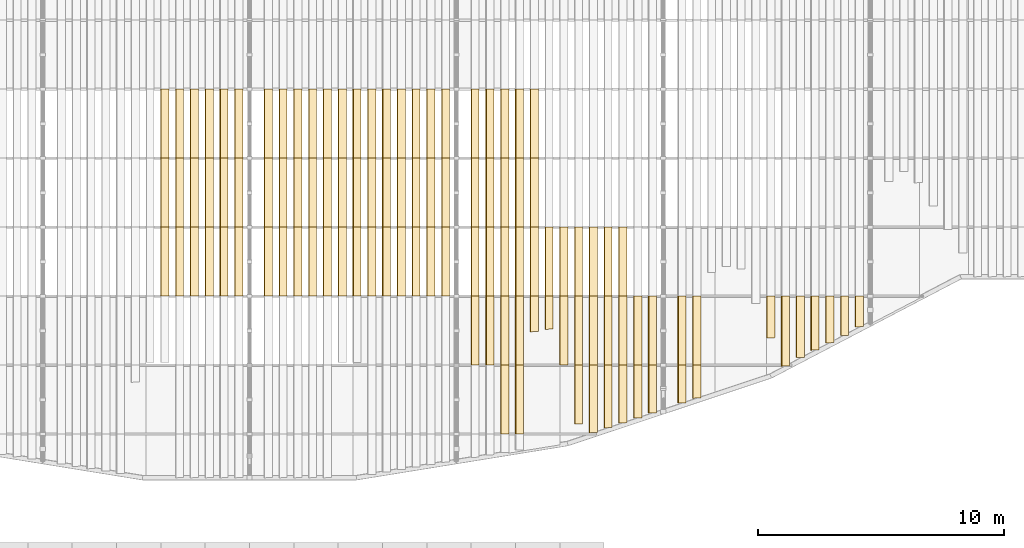
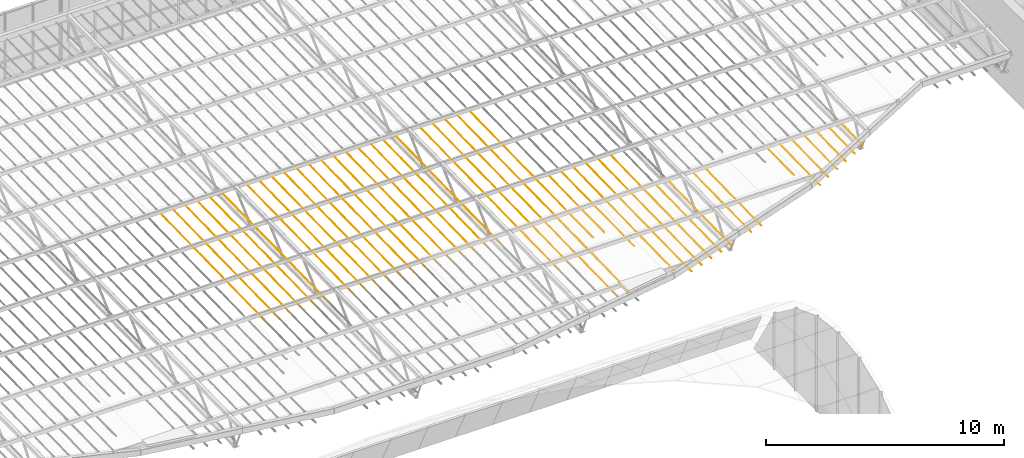
# One storey, part 121 of 129: 110 coverings.
"""IFC4 building model written with IfcOpenShell, lengths in metres."""

from ifc_helpers import new_model, si_unit, direction, frame, origin, place, context, subcontext, project, spatial, polyline, outline, extrude, material, material_profile, profile_set, type_object, element, save


model = new_model("IFC4")

# Units and contexts
model_context = context("Model", 3, precision=1e-05, world=origin(), true_north=direction((0.0, 1.0)))
body_context = subcontext(model_context, "Body", "Model", "MODEL_VIEW")
ifc_project = project(units=[si_unit("LENGTHUNIT", "METRE"), si_unit("AREAUNIT", "SQUARE_METRE"), si_unit("VOLUMEUNIT", "CUBIC_METRE"), si_unit("PLANEANGLEUNIT", "RADIAN"), si_unit("MASSUNIT", "GRAM", prefix="KILO")], contexts=[model_context])

# Site, building, storey
site_placement = place(None, origin())
site = spatial("IfcSite", under=ifc_project, at=site_placement, CompositionType="ELEMENT")
building_placement = place(site_placement, origin())
building = spatial("IfcBuilding", under=site, at=building_placement, Name="Ardhachandra Cancer Care Centre", CompositionType="ELEMENT")
storey_placement = place(building_placement, frame((0.0, 0.0, 4.5)))
storey = spatial("IfcBuildingStorey", under=building, at=storey_placement, Name="L01", CompositionType="ELEMENT", Elevation=4.5)

# Coverings
ifc_material = material(Name="Anodised aluminium", Category="aluminium")
ifc_material_profile = material_profile(ifc_material, outline(polyline([(-0.01220703125, 0.0), (0.01220703125, 0.0), (0.327392578125, -0.449951171875), (0.302978515625, -0.449951171875), (-0.01220703125, 0.0)])), Name="Louvre fin 450")
ifc_profile_set = profile_set([ifc_material_profile], Name="Anodised aluminium")
covering_type = type_object("IfcCoveringType", Name="Louvre fin 450", PredefinedType="CLADDING", material=ifc_profile_set)
for number, where, z_axis, x_axis, name in (
    (1, (74.39990234375, 40.175048828125, 2.46337890625), (0.0, -0.999800721691, -0.019962888244), (1.0, 0.0, 0.0), "Louvre fin 50-6"),
    (2, (74.39990234375, 37.375, 2.407470703125), (0.0, -0.999800721691, -0.019962888244), (1.0, 0.0, 0.0), "Louvre fin 50-7"),
    (3, (74.39990234375, 34.574951171875, 2.3515625), (0.0, -0.999798977995, -0.02005002746), (1.0, 0.0, 0.0), "Louvre fin 50-8"),
    (4, (75.0, 40.175048828125, 2.46337890625), (0.0, -0.999800721691, -0.019962888244), (1.0, 0.0, 0.0), "Louvre fin 51-6"),
    (5, (75.0, 37.375, 2.407470703125), (0.0, -0.999800721691, -0.019962888244), (1.0, 0.0, 0.0), "Louvre fin 51-7"),
    (6, (75.0, 34.574951171875, 2.3515625), (0.0, -0.999798977995, -0.02005002746), (1.0, 0.0, 0.0), "Louvre fin 51-8"),
    (7, (75.60009765625, 40.175048828125, 2.46337890625), (0.0, -0.999800721691, -0.019962888244), (1.0, 0.0, 0.0), "Louvre fin 52-6"),
    (8, (75.60009765625, 37.375, 2.407470703125), (0.0, -0.999800721691, -0.019962888244), (1.0, 0.0, 0.0), "Louvre fin 52-7"),
    (9, (75.60009765625, 34.574951171875, 2.3515625), (0.0, -0.999798977995, -0.02005002746), (1.0, 0.0, 0.0), "Louvre fin 52-8"),
    (10, (76.199951171875, 40.175048828125, 2.46337890625), (0.0, -0.999800721691, -0.019962888244), (1.0, 0.0, 0.0), "Louvre fin 53-6"),
    (11, (76.199951171875, 37.375, 2.407470703125), (0.0, -0.999800721691, -0.019962888244), (1.0, 0.0, 0.0), "Louvre fin 53-7"),
    (12, (76.199951171875, 34.574951171875, 2.3515625), (0.0, -0.999798977995, -0.02005002746), (1.0, 0.0, 0.0), "Louvre fin 53-8"),
    (13, (76.800048828125, 40.175048828125, 2.46337890625), (0.0, -0.999800721691, -0.019962888244), (1.0, 0.0, 0.0), "Louvre fin 54-6"),
    (14, (76.800048828125, 37.375, 2.407470703125), (0.0, -0.999800721691, -0.019962888244), (1.0, 0.0, 0.0), "Louvre fin 54-7"),
    (15, (76.800048828125, 34.574951171875, 2.3515625), (0.0, -0.999798977995, -0.02005002746), (1.0, 0.0, 0.0), "Louvre fin 54-8"),
    (16, (77.39990234375, 40.175048828125, 2.46337890625), (0.0, -0.999800721691, -0.019962888244), (1.0, 0.0, 0.0), "Louvre fin 55-6"),
    (17, (77.39990234375, 37.375, 2.407470703125), (0.0, -0.999800721691, -0.019962888244), (1.0, 0.0, 0.0), "Louvre fin 55-7"),
    (18, (77.39990234375, 34.574951171875, 2.3515625), (0.0, -0.999798977995, -0.02005002746), (1.0, 0.0, 0.0), "Louvre fin 55-8"),
    (19, (78.60009765625, 40.175048828125, 2.46337890625), (0.0, -0.999800721691, -0.019962888244), (1.0, 0.0, 0.0), "Louvre fin 57-6"),
    (20, (78.60009765625, 37.375, 2.407470703125), (0.0, -0.999800721691, -0.019962888244), (1.0, 0.0, 0.0), "Louvre fin 57-7"),
    (21, (78.60009765625, 34.574951171875, 2.3515625), (0.0, -0.999798977995, -0.02005002746), (1.0, 0.0, 0.0), "Louvre fin 57-8"),
    (22, (79.199951171875, 40.175048828125, 2.46337890625), (0.0, -0.999800721691, -0.019962888244), (1.0, 0.0, 0.0), "Louvre fin 58-6"),
    (23, (79.199951171875, 37.375, 2.407470703125), (0.0, -0.999800721691, -0.019962888244), (1.0, 0.0, 0.0), "Louvre fin 58-7"),
    (24, (79.199951171875, 34.574951171875, 2.3515625), (0.0, -0.999798977995, -0.02005002746), (1.0, 0.0, 0.0), "Louvre fin 58-8"),
    (25, (79.800048828125, 40.175048828125, 2.46337890625), (0.0, -0.999800721691, -0.019962888244), (1.0, 0.0, 0.0), "Louvre fin 59-6"),
    (26, (79.800048828125, 37.375, 2.407470703125), (0.0, -0.999800721691, -0.019962888244), (1.0, 0.0, 0.0), "Louvre fin 59-7"),
    (27, (79.800048828125, 34.574951171875, 2.3515625), (0.0, -0.999798977995, -0.02005002746), (1.0, 0.0, 0.0), "Louvre fin 59-8"),
    (28, (80.39990234375, 40.175048828125, 2.46337890625), (0.0, -0.999800721691, -0.019962888244), (1.0, 0.0, 0.0), "Louvre fin 60-6"),
    (29, (80.39990234375, 37.375, 2.407470703125), (0.0, -0.999800721691, -0.019962888244), (1.0, 0.0, 0.0), "Louvre fin 60-7"),
    (30, (80.39990234375, 34.574951171875, 2.3515625), (0.0, -0.999798977995, -0.02005002746), (1.0, 0.0, 0.0), "Louvre fin 60-8"),
    (31, (81.0, 40.175048828125, 2.46337890625), (0.0, -0.999800721691, -0.019962888244), (1.0, 0.0, 0.0), "Louvre fin 61-6"),
    (32, (81.0, 37.375, 2.407470703125), (0.0, -0.999800721691, -0.019962888244), (1.0, 0.0, 0.0), "Louvre fin 61-7"),
    (33, (81.0, 34.574951171875, 2.3515625), (0.0, -0.999798977995, -0.02005002746), (1.0, 0.0, 0.0), "Louvre fin 61-8"),
    (34, (81.60009765625, 40.175048828125, 2.46337890625), (0.0, -0.999800721691, -0.019962888244), (1.0, 0.0, 0.0), "Louvre fin 62-6"),
    (35, (81.60009765625, 37.375, 2.407470703125), (0.0, -0.999800721691, -0.019962888244), (1.0, 0.0, 0.0), "Louvre fin 62-7"),
    (36, (81.60009765625, 34.574951171875, 2.3515625), (0.0, -0.999798977995, -0.02005002746), (1.0, 0.0, 0.0), "Louvre fin 62-8"),
    (37, (82.199951171875, 40.175048828125, 2.46337890625), (0.0, -0.999800721691, -0.019962888244), (1.0, 0.0, 0.0), "Louvre fin 63-6"),
    (38, (82.199951171875, 37.375, 2.407470703125), (0.0, -0.999800721691, -0.019962888244), (1.0, 0.0, 0.0), "Louvre fin 63-7"),
    (39, (82.199951171875, 34.574951171875, 2.3515625), (0.0, -0.999798977995, -0.02005002746), (1.0, 0.0, 0.0), "Louvre fin 63-8"),
    (40, (82.800048828125, 40.175048828125, 2.46337890625), (0.0, -0.999800721691, -0.019962888244), (1.0, 0.0, 0.0), "Louvre fin 64-6"),
    (41, (82.800048828125, 37.375, 2.407470703125), (0.0, -0.999800721691, -0.019962888244), (1.0, 0.0, 0.0), "Louvre fin 64-7"),
    (42, (82.800048828125, 34.574951171875, 2.3515625), (0.0, -0.999798977995, -0.02005002746), (1.0, 0.0, 0.0), "Louvre fin 64-8"),
    (43, (83.39990234375, 40.175048828125, 2.46337890625), (0.0, -0.999800721691, -0.019962888244), (1.0, 0.0, 0.0), "Louvre fin 65-6"),
    (44, (83.39990234375, 37.375, 2.407470703125), (0.0, -0.999800721691, -0.019962888244), (1.0, 0.0, 0.0), "Louvre fin 65-7"),
    (45, (83.39990234375, 34.574951171875, 2.3515625), (0.0, -0.999798977995, -0.02005002746), (1.0, 0.0, 0.0), "Louvre fin 65-8"),
    (46, (84.0, 40.175048828125, 2.46337890625), (0.0, -0.999800721691, -0.019962888244), (1.0, 0.0, 0.0), "Louvre fin 66-6"),
    (47, (84.0, 37.375, 2.407470703125), (0.0, -0.999800721691, -0.019962888244), (1.0, 0.0, 0.0), "Louvre fin 66-7"),
    (48, (84.0, 34.574951171875, 2.3515625), (0.0, -0.999798977995, -0.02005002746), (1.0, 0.0, 0.0), "Louvre fin 66-8"),
    (49, (84.60009765625, 40.175048828125, 2.46337890625), (0.0, -0.999800721691, -0.019962888244), (1.0, 0.0, 0.0), "Louvre fin 67-6"),
    (50, (84.60009765625, 37.375, 2.407470703125), (0.0, -0.999800721691, -0.019962888244), (1.0, 0.0, 0.0), "Louvre fin 67-7"),
    (51, (84.60009765625, 34.574951171875, 2.3515625), (0.0, -0.999798977995, -0.02005002746), (1.0, 0.0, 0.0), "Louvre fin 67-8"),
    (52, (85.199951171875, 40.175048828125, 2.46337890625), (0.0, -0.999800721691, -0.019962888244), (1.0, 0.0, 0.0), "Louvre fin 68-6"),
    (53, (85.199951171875, 37.375, 2.407470703125), (0.0, -0.999800721691, -0.019962888244), (1.0, 0.0, 0.0), "Louvre fin 68-7"),
    (54, (85.199951171875, 34.574951171875, 2.3515625), (0.0, -0.999798977995, -0.02005002746), (1.0, 0.0, 0.0), "Louvre fin 68-8"),
    (55, (85.800048828125, 40.175048828125, 2.46337890625), (0.0, -0.999800721691, -0.019962888244), (1.0, 0.0, 0.0), "Louvre fin 69-6"),
    (56, (85.800048828125, 37.375, 2.407470703125), (0.0, -0.999800721691, -0.019962888244), (1.0, 0.0, 0.0), "Louvre fin 69-7"),
    (57, (85.800048828125, 34.574951171875, 2.3515625), (0.0, -0.999798977995, -0.02005002746), (1.0, 0.0, 0.0), "Louvre fin 69-8"),
    (58, (87.0, 40.175048828125, 2.46337890625), (0.0, -0.999800721691, -0.019962888244), (1.0, 0.0, 0.0), "Louvre fin 71-6"),
    (59, (87.0, 37.375, 2.407470703125), (0.0, -0.999800721691, -0.019962888244), (1.0, 0.0, 0.0), "Louvre fin 71-7"),
    (60, (87.0, 34.574951171875, 2.3515625), (0.0, -0.999798977995, -0.02005002746), (1.0, 0.0, 0.0), "Louvre fin 71-8"),
):
    element("IfcCovering", number, at=place(storey_placement, frame(where, z_axis=z_axis, x_axis=x_axis)), inside=storey, type_object=covering_type, Name=name, PredefinedType="CLADDING", context=body_context, shape_type="SweptSolid", body=[
        extrude(outline(polyline([(-0.01220703125, 0.0), (0.01220703125, 0.0), (0.327392578125, -0.449951171875), (0.302978515625, -0.449951171875), (-0.01220703125, 0.0)])), origin(), (0.0, 0.0, 1.0), 2.800537109375),
    ])
covering_1_placement = place(storey_placement, frame((87.0, 31.77490234375, 2.29541015625), z_axis=(0.0, -0.999800686946, -0.019964628297), x_axis=(1.0, 0.0, 0.0)))
element("IfcCovering", 61, at=covering_1_placement, inside=storey, type_object=covering_type, Name="Louvre fin 71-9", PredefinedType="CLADDING", context=body_context, shape_type="SweptSolid", body=[
    extrude(outline(polyline([(-0.01220703125, 0.0), (0.01220703125, 0.0), (0.327392578125, -0.449951171875), (0.302978515625, -0.449951171875), (-0.01220703125, 0.0)])), origin(), (0.0, 0.0, 1.0), 2.80029296875),
])
for number, where, z_axis, x_axis, name in (
    (62, (87.60009765625, 40.175048828125, 2.46337890625), (0.0, -0.999800721691, -0.019962888244), (1.0, 0.0, 0.0), "Louvre fin 72-6"),
    (63, (87.60009765625, 37.375, 2.407470703125), (0.0, -0.999800721691, -0.019962888244), (1.0, 0.0, 0.0), "Louvre fin 72-7"),
    (64, (87.60009765625, 34.574951171875, 2.3515625), (0.0, -0.999798977995, -0.02005002746), (1.0, 0.0, 0.0), "Louvre fin 72-8"),
):
    element("IfcCovering", number, at=place(storey_placement, frame(where, z_axis=z_axis, x_axis=x_axis)), inside=storey, type_object=covering_type, Name=name, PredefinedType="CLADDING", context=body_context, shape_type="SweptSolid", body=[
        extrude(outline(polyline([(-0.01220703125, 0.0), (0.01220703125, 0.0), (0.327392578125, -0.449951171875), (0.302978515625, -0.449951171875), (-0.01220703125, 0.0)])), origin(), (0.0, 0.0, 1.0), 2.800537109375),
    ])
covering_2_placement = place(storey_placement, frame((87.60009765625, 31.77490234375, 2.29541015625), z_axis=(0.0, -0.999800686946, -0.019964628297), x_axis=(1.0, 0.0, 0.0)))
element("IfcCovering", 65, at=covering_2_placement, inside=storey, type_object=covering_type, Name="Louvre fin 72-9", PredefinedType="CLADDING", context=body_context, shape_type="SweptSolid", body=[
    extrude(outline(polyline([(-0.01220703125, 0.0), (0.01220703125, 0.0), (0.327392578125, -0.449951171875), (0.302978515625, -0.449951171875), (-0.01220703125, 0.0)])), origin(), (0.0, 0.0, 1.0), 2.80029296875),
])
for number, where, z_axis, x_axis, name in (
    (66, (88.199951171875, 40.175048828125, 2.46337890625), (0.0, -0.999800721691, -0.019962888244), (1.0, 0.0, 0.0), "Louvre fin 73-6"),
    (67, (88.199951171875, 37.375, 2.407470703125), (0.0, -0.999800721691, -0.019962888244), (1.0, 0.0, 0.0), "Louvre fin 73-7"),
    (68, (88.199951171875, 34.574951171875, 2.3515625), (0.0, -0.999798977995, -0.02005002746), (1.0, 0.0, 0.0), "Louvre fin 73-8"),
):
    element("IfcCovering", number, at=place(storey_placement, frame(where, z_axis=z_axis, x_axis=x_axis)), inside=storey, type_object=covering_type, Name=name, PredefinedType="CLADDING", context=body_context, shape_type="SweptSolid", body=[
        extrude(outline(polyline([(-0.01220703125, 0.0), (0.01220703125, 0.0), (0.327392578125, -0.449951171875), (0.302978515625, -0.449951171875), (-0.01220703125, 0.0)])), origin(), (0.0, 0.0, 1.0), 2.800537109375),
    ])
covering_3_placement = place(storey_placement, frame((88.199951171875, 31.77490234375, 2.29541015625), z_axis=(0.0, -0.999800686946, -0.019964628297), x_axis=(1.0, 0.0, 0.0)))
element("IfcCovering", 69, at=covering_3_placement, inside=storey, type_object=covering_type, Name="Louvre fin 73-9", PredefinedType="CLADDING", context=body_context, shape_type="SweptSolid", body=[
    extrude(outline(polyline([(-0.01220703125, 0.0), (0.01220703125, 0.0), (0.327392578125, -0.449951171875), (0.302978515625, -0.449951171875), (-0.01220703125, 0.0)])), origin(), (0.0, 0.0, 1.0), 2.80029296875),
])
for number, where, z_axis, x_axis, name in (
    (70, (88.199951171875, 28.97509765625, 2.239501953125), (0.0, -0.999800721691, -0.019962888244), (1.0, 0.0, 0.0), "Louvre fin 73-10"),
    (71, (88.800048828125, 40.175048828125, 2.46337890625), (0.0, -0.999800721691, -0.019962888244), (1.0, 0.0, 0.0), "Louvre fin 74-6"),
    (72, (88.800048828125, 37.375, 2.407470703125), (0.0, -0.999800721691, -0.019962888244), (1.0, 0.0, 0.0), "Louvre fin 74-7"),
    (73, (88.800048828125, 34.574951171875, 2.3515625), (0.0, -0.999798977995, -0.02005002746), (1.0, 0.0, 0.0), "Louvre fin 74-8"),
):
    element("IfcCovering", number, at=place(storey_placement, frame(where, z_axis=z_axis, x_axis=x_axis)), inside=storey, type_object=covering_type, Name=name, PredefinedType="CLADDING", context=body_context, shape_type="SweptSolid", body=[
        extrude(outline(polyline([(-0.01220703125, 0.0), (0.01220703125, 0.0), (0.327392578125, -0.449951171875), (0.302978515625, -0.449951171875), (-0.01220703125, 0.0)])), origin(), (0.0, 0.0, 1.0), 2.800537109375),
    ])
covering_4_placement = place(storey_placement, frame((88.800048828125, 31.77490234375, 2.29541015625), z_axis=(0.0, -0.999800686946, -0.019964628297), x_axis=(1.0, 0.0, 0.0)))
element("IfcCovering", 74, at=covering_4_placement, inside=storey, type_object=covering_type, Name="Louvre fin 74-9", PredefinedType="CLADDING", context=body_context, shape_type="SweptSolid", body=[
    extrude(outline(polyline([(-0.01220703125, 0.0), (0.01220703125, 0.0), (0.327392578125, -0.449951171875), (0.302978515625, -0.449951171875), (-0.01220703125, 0.0)])), origin(), (0.0, 0.0, 1.0), 2.80029296875),
])
for number, where, z_axis, x_axis, name in (
    (75, (88.800048828125, 28.97509765625, 2.239501953125), (0.0, -0.999800721691, -0.019962888244), (1.0, 0.0, 0.0), "Louvre fin 74-10"),
    (76, (89.39990234375, 40.175048828125, 2.46337890625), (0.0, -0.999800721691, -0.019962888244), (1.0, 0.0, 0.0), "Louvre fin 75-6"),
    (77, (89.39990234375, 37.375, 2.407470703125), (0.0, -0.999800721691, -0.019962888244), (1.0, 0.0, 0.0), "Louvre fin 75-7"),
    (78, (89.39990234375, 34.574951171875, 2.3515625), (0.0, -0.999798977995, -0.02005002746), (1.0, 0.0, 0.0), "Louvre fin 75-8"),
):
    element("IfcCovering", number, at=place(storey_placement, frame(where, z_axis=z_axis, x_axis=x_axis)), inside=storey, type_object=covering_type, Name=name, PredefinedType="CLADDING", context=body_context, shape_type="SweptSolid", body=[
        extrude(outline(polyline([(-0.01220703125, 0.0), (0.01220703125, 0.0), (0.327392578125, -0.449951171875), (0.302978515625, -0.449951171875), (-0.01220703125, 0.0)])), origin(), (0.0, 0.0, 1.0), 2.800537109375),
    ])
covering_5_placement = place(storey_placement, frame((89.39990234375, 31.77490234375, 2.29541015625), z_axis=(0.0, -0.999802676501, -0.019864744204), x_axis=(1.0, 0.0, 0.0)))
element("IfcCovering", 79, at=covering_5_placement, inside=storey, type_object=covering_type, Name="Louvre fin 75-9", PredefinedType="CLADDING", context=body_context, shape_type="SweptSolid", body=[
    extrude(outline(polyline([(-0.01220703125, 0.0), (0.01220703125, 0.0), (0.327392578125, -0.449951171875), (0.302978515625, -0.449951171875), (-0.01220703125, 0.0)])), origin(), (0.0, 0.0, 1.0), 1.4501953125),
])
covering_6_placement = place(storey_placement, frame((90.0, 34.574951171875, 2.3515625), z_axis=(0.0, -0.999798977995, -0.02005002746), x_axis=(1.0, 0.0, 0.0)))
element("IfcCovering", 80, at=covering_6_placement, inside=storey, type_object=covering_type, Name="Louvre fin 76-8", PredefinedType="CLADDING", context=body_context, shape_type="SweptSolid", body=[
    extrude(outline(polyline([(-0.01220703125, 0.0), (0.01220703125, 0.0), (0.327392578125, -0.449951171875), (0.302978515625, -0.449951171875), (-0.01220703125, 0.0)])), origin(), (0.0, 0.0, 1.0), 2.800537109375),
])
covering_7_placement = place(storey_placement, frame((90.0, 31.77490234375, 2.29541015625), z_axis=(0.0, -0.999802151258, -0.019891162351), x_axis=(1.0, 0.0, 0.0)))
element("IfcCovering", 81, at=covering_7_placement, inside=storey, type_object=covering_type, Name="Louvre fin 76-9", PredefinedType="CLADDING", context=body_context, shape_type="SweptSolid", body=[
    extrude(outline(polyline([(-0.01220703125, 0.0), (0.01220703125, 0.0), (0.327392578125, -0.449951171875), (0.302978515625, -0.449951171875), (-0.01220703125, 0.0)])), origin(), (0.0, 0.0, 1.0), 1.35009765625),
])
covering_8_placement = place(storey_placement, frame((90.60009765625, 34.574951171875, 2.3515625), z_axis=(0.0, -0.999798977995, -0.02005002746), x_axis=(1.0, 0.0, 0.0)))
element("IfcCovering", 82, at=covering_8_placement, inside=storey, type_object=covering_type, Name="Louvre fin 77-8", PredefinedType="CLADDING", context=body_context, shape_type="SweptSolid", body=[
    extrude(outline(polyline([(-0.01220703125, 0.0), (0.01220703125, 0.0), (0.327392578125, -0.449951171875), (0.302978515625, -0.449951171875), (-0.01220703125, 0.0)])), origin(), (0.0, 0.0, 1.0), 2.800537109375),
])
covering_9_placement = place(storey_placement, frame((90.60009765625, 31.77490234375, 2.29541015625), z_axis=(0.0, -0.999800686946, -0.019964628297), x_axis=(1.0, 0.0, 0.0)))
element("IfcCovering", 83, at=covering_9_placement, inside=storey, type_object=covering_type, Name="Louvre fin 77-9", PredefinedType="CLADDING", context=body_context, shape_type="SweptSolid", body=[
    extrude(outline(polyline([(-0.01220703125, 0.0), (0.01220703125, 0.0), (0.327392578125, -0.449951171875), (0.302978515625, -0.449951171875), (-0.01220703125, 0.0)])), origin(), (0.0, 0.0, 1.0), 2.80029296875),
])
covering_10_placement = place(storey_placement, frame((91.199951171875, 34.574951171875, 2.3515625), z_axis=(0.0, -0.999798977995, -0.02005002746), x_axis=(1.0, 0.0, 0.0)))
element("IfcCovering", 84, at=covering_10_placement, inside=storey, type_object=covering_type, Name="Louvre fin 78-8", PredefinedType="CLADDING", context=body_context, shape_type="SweptSolid", body=[
    extrude(outline(polyline([(-0.01220703125, 0.0), (0.01220703125, 0.0), (0.327392578125, -0.449951171875), (0.302978515625, -0.449951171875), (-0.01220703125, 0.0)])), origin(), (0.0, 0.0, 1.0), 2.800537109375),
])
covering_11_placement = place(storey_placement, frame((91.199951171875, 31.77490234375, 2.29541015625), z_axis=(0.0, -0.999800686946, -0.019964628297), x_axis=(1.0, 0.0, 0.0)))
element("IfcCovering", 85, at=covering_11_placement, inside=storey, type_object=covering_type, Name="Louvre fin 78-9", PredefinedType="CLADDING", context=body_context, shape_type="SweptSolid", body=[
    extrude(outline(polyline([(-0.01220703125, 0.0), (0.01220703125, 0.0), (0.327392578125, -0.449951171875), (0.302978515625, -0.449951171875), (-0.01220703125, 0.0)])), origin(), (0.0, 0.0, 1.0), 2.80029296875),
])
covering_12_placement = place(storey_placement, frame((91.199951171875, 28.97509765625, 2.239501953125), z_axis=(0.0, -0.999799286633, -0.020034631214), x_axis=(1.0, 0.0, 0.0)))
element("IfcCovering", 86, at=covering_12_placement, inside=storey, type_object=covering_type, Name="Louvre fin 78-10", PredefinedType="CLADDING", context=body_context, shape_type="SweptSolid", body=[
    extrude(outline(polyline([(-0.01220703125, 0.0), (0.01220703125, 0.0), (0.327392578125, -0.449951171875), (0.302978515625, -0.449951171875), (-0.01220703125, 0.0)])), origin(), (0.0, 0.0, 1.0), 2.400634765625),
])
covering_13_placement = place(storey_placement, frame((91.800048828125, 34.574951171875, 2.3515625), z_axis=(0.0, -0.999798977995, -0.02005002746), x_axis=(1.0, 0.0, 0.0)))
element("IfcCovering", 87, at=covering_13_placement, inside=storey, type_object=covering_type, Name="Louvre fin 79-8", PredefinedType="CLADDING", context=body_context, shape_type="SweptSolid", body=[
    extrude(outline(polyline([(-0.01220703125, 0.0), (0.01220703125, 0.0), (0.327392578125, -0.449951171875), (0.302978515625, -0.449951171875), (-0.01220703125, 0.0)])), origin(), (0.0, 0.0, 1.0), 2.800537109375),
])
covering_14_placement = place(storey_placement, frame((91.800048828125, 31.77490234375, 2.29541015625), z_axis=(0.0, -0.999800686946, -0.019964628297), x_axis=(1.0, 0.0, 0.0)))
element("IfcCovering", 88, at=covering_14_placement, inside=storey, type_object=covering_type, Name="Louvre fin 79-9", PredefinedType="CLADDING", context=body_context, shape_type="SweptSolid", body=[
    extrude(outline(polyline([(-0.01220703125, 0.0), (0.01220703125, 0.0), (0.327392578125, -0.449951171875), (0.302978515625, -0.449951171875), (-0.01220703125, 0.0)])), origin(), (0.0, 0.0, 1.0), 2.80029296875),
])
covering_15_placement = place(storey_placement, frame((91.800048828125, 28.97509765625, 2.239501953125), z_axis=(0.0, -0.999800556533, -0.019971158134), x_axis=(1.0, 0.0, 0.0)))
element("IfcCovering", 89, at=covering_15_placement, inside=storey, type_object=covering_type, Name="Louvre fin 79-10", PredefinedType="CLADDING", context=body_context, shape_type="SweptSolid", body=[
    extrude(outline(polyline([(-0.01220703125, 0.0), (0.01220703125, 0.0), (0.327392578125, -0.449951171875), (0.302978515625, -0.449951171875), (-0.01220703125, 0.0)])), origin(), (0.0, 0.0, 1.0), 2.75048828125),
])
covering_16_placement = place(storey_placement, frame((92.39990234375, 34.574951171875, 2.3515625), z_axis=(0.0, -0.999798977995, -0.02005002746), x_axis=(1.0, 0.0, 0.0)))
element("IfcCovering", 90, at=covering_16_placement, inside=storey, type_object=covering_type, Name="Louvre fin 80-8", PredefinedType="CLADDING", context=body_context, shape_type="SweptSolid", body=[
    extrude(outline(polyline([(-0.01220703125, 0.0), (0.01220703125, 0.0), (0.327392578125, -0.449951171875), (0.302978515625, -0.449951171875), (-0.01220703125, 0.0)])), origin(), (0.0, 0.0, 1.0), 2.800537109375),
])
covering_17_placement = place(storey_placement, frame((92.39990234375, 31.77490234375, 2.29541015625), z_axis=(0.0, -0.999800686946, -0.019964628297), x_axis=(1.0, 0.0, 0.0)))
element("IfcCovering", 91, at=covering_17_placement, inside=storey, type_object=covering_type, Name="Louvre fin 80-9", PredefinedType="CLADDING", context=body_context, shape_type="SweptSolid", body=[
    extrude(outline(polyline([(-0.01220703125, 0.0), (0.01220703125, 0.0), (0.327392578125, -0.449951171875), (0.302978515625, -0.449951171875), (-0.01220703125, 0.0)])), origin(), (0.0, 0.0, 1.0), 2.80029296875),
])
covering_18_placement = place(storey_placement, frame((92.39990234375, 28.97509765625, 2.239501953125), z_axis=(0.0, -0.99979986857, -0.020005569414), x_axis=(1.0, 0.0, 0.0)))
element("IfcCovering", 92, at=covering_18_placement, inside=storey, type_object=covering_type, Name="Louvre fin 80-10", PredefinedType="CLADDING", context=body_context, shape_type="SweptSolid", body=[
    extrude(outline(polyline([(-0.01220703125, 0.0), (0.01220703125, 0.0), (0.327392578125, -0.449951171875), (0.302978515625, -0.449951171875), (-0.01220703125, 0.0)])), origin(), (0.0, 0.0, 1.0), 2.550537109375),
])
covering_19_placement = place(storey_placement, frame((93.0, 34.574951171875, 2.3515625), z_axis=(0.0, -0.999798977995, -0.02005002746), x_axis=(1.0, 0.0, 0.0)))
element("IfcCovering", 93, at=covering_19_placement, inside=storey, type_object=covering_type, Name="Louvre fin 81-8", PredefinedType="CLADDING", context=body_context, shape_type="SweptSolid", body=[
    extrude(outline(polyline([(-0.01220703125, 0.0), (0.01220703125, 0.0), (0.327392578125, -0.449951171875), (0.302978515625, -0.449951171875), (-0.01220703125, 0.0)])), origin(), (0.0, 0.0, 1.0), 2.800537109375),
])
covering_20_placement = place(storey_placement, frame((93.0, 31.77490234375, 2.29541015625), z_axis=(0.0, -0.999800686946, -0.019964628297), x_axis=(1.0, 0.0, 0.0)))
element("IfcCovering", 94, at=covering_20_placement, inside=storey, type_object=covering_type, Name="Louvre fin 81-9", PredefinedType="CLADDING", context=body_context, shape_type="SweptSolid", body=[
    extrude(outline(polyline([(-0.01220703125, 0.0), (0.01220703125, 0.0), (0.327392578125, -0.449951171875), (0.302978515625, -0.449951171875), (-0.01220703125, 0.0)])), origin(), (0.0, 0.0, 1.0), 2.80029296875),
])
covering_21_placement = place(storey_placement, frame((93.0, 28.97509765625, 2.239501953125), z_axis=(0.0, -0.999799062038, -0.02004583617), x_axis=(1.0, 0.0, 0.0)))
element("IfcCovering", 95, at=covering_21_placement, inside=storey, type_object=covering_type, Name="Louvre fin 81-10", PredefinedType="CLADDING", context=body_context, shape_type="SweptSolid", body=[
    extrude(outline(polyline([(-0.01220703125, 0.0), (0.01220703125, 0.0), (0.327392578125, -0.449951171875), (0.302978515625, -0.449951171875), (-0.01220703125, 0.0)])), origin(), (0.0, 0.0, 1.0), 2.3505859375),
])
covering_22_placement = place(storey_placement, frame((93.60009765625, 31.77490234375, 2.29541015625), z_axis=(0.0, -0.999800686946, -0.019964628297), x_axis=(1.0, 0.0, 0.0)))
element("IfcCovering", 96, at=covering_22_placement, inside=storey, type_object=covering_type, Name="Louvre fin 82-9", PredefinedType="CLADDING", context=body_context, shape_type="SweptSolid", body=[
    extrude(outline(polyline([(-0.01220703125, 0.0), (0.01220703125, 0.0), (0.327392578125, -0.449951171875), (0.302978515625, -0.449951171875), (-0.01220703125, 0.0)])), origin(), (0.0, 0.0, 1.0), 2.80029296875),
])
covering_23_placement = place(storey_placement, frame((93.60009765625, 28.97509765625, 2.239501953125), z_axis=(0.0, -0.999800377592, -0.019980114279), x_axis=(1.0, 0.0, 0.0)))
element("IfcCovering", 97, at=covering_23_placement, inside=storey, type_object=covering_type, Name="Louvre fin 82-10", PredefinedType="CLADDING", context=body_context, shape_type="SweptSolid", body=[
    extrude(outline(polyline([(-0.01220703125, 0.0), (0.01220703125, 0.0), (0.327392578125, -0.449951171875), (0.302978515625, -0.449951171875), (-0.01220703125, 0.0)])), origin(), (0.0, 0.0, 1.0), 2.150634765625),
])
covering_24_placement = place(storey_placement, frame((94.199951171875, 31.77490234375, 2.29541015625), z_axis=(0.0, -0.999800686946, -0.019964628297), x_axis=(1.0, 0.0, 0.0)))
element("IfcCovering", 98, at=covering_24_placement, inside=storey, type_object=covering_type, Name="Louvre fin 83-9", PredefinedType="CLADDING", context=body_context, shape_type="SweptSolid", body=[
    extrude(outline(polyline([(-0.01220703125, 0.0), (0.01220703125, 0.0), (0.327392578125, -0.449951171875), (0.302978515625, -0.449951171875), (-0.01220703125, 0.0)])), origin(), (0.0, 0.0, 1.0), 2.80029296875),
])
covering_25_placement = place(storey_placement, frame((94.199951171875, 28.97509765625, 2.239501953125), z_axis=(0.0, -0.999799458988, -0.020026028222), x_axis=(1.0, 0.0, 0.0)))
element("IfcCovering", 99, at=covering_25_placement, inside=storey, type_object=covering_type, Name="Louvre fin 83-10", PredefinedType="CLADDING", context=body_context, shape_type="SweptSolid", body=[
    extrude(outline(polyline([(-0.01220703125, 0.0), (0.01220703125, 0.0), (0.327392578125, -0.449951171875), (0.302978515625, -0.449951171875), (-0.01220703125, 0.0)])), origin(), (0.0, 0.0, 1.0), 1.95068359375),
])
covering_26_placement = place(storey_placement, frame((95.39990234375, 31.77490234375, 2.29541015625), z_axis=(0.0, -0.999800686946, -0.019964628297), x_axis=(1.0, 0.0, 0.0)))
element("IfcCovering", 100, at=covering_26_placement, inside=storey, type_object=covering_type, Name="Louvre fin 85-9", PredefinedType="CLADDING", context=body_context, shape_type="SweptSolid", body=[
    extrude(outline(polyline([(-0.01220703125, 0.0), (0.01220703125, 0.0), (0.327392578125, -0.449951171875), (0.302978515625, -0.449951171875), (-0.01220703125, 0.0)])), origin(), (0.0, 0.0, 1.0), 2.80029296875),
])
covering_27_placement = place(storey_placement, frame((95.39990234375, 28.97509765625, 2.239501953125), z_axis=(0.0, -0.999799997011, -0.019999149413), x_axis=(1.0, 0.0, 0.0)))
element("IfcCovering", 101, at=covering_27_placement, inside=storey, type_object=covering_type, Name="Louvre fin 85-10", PredefinedType="CLADDING", context=body_context, shape_type="SweptSolid", body=[
    extrude(outline(polyline([(-0.01220703125, 0.0), (0.01220703125, 0.0), (0.327392578125, -0.449951171875), (0.302978515625, -0.449951171875), (-0.01220703125, 0.0)])), origin(), (0.0, 0.0, 1.0), 1.55029296875),
])
covering_28_placement = place(storey_placement, frame((96.0, 31.77490234375, 2.29541015625), z_axis=(0.0, -0.999800686946, -0.019964628297), x_axis=(1.0, 0.0, 0.0)))
element("IfcCovering", 102, at=covering_28_placement, inside=storey, type_object=covering_type, Name="Louvre fin 86-9", PredefinedType="CLADDING", context=body_context, shape_type="SweptSolid", body=[
    extrude(outline(polyline([(-0.01220703125, 0.0), (0.01220703125, 0.0), (0.327392578125, -0.449951171875), (0.302978515625, -0.449951171875), (-0.01220703125, 0.0)])), origin(), (0.0, 0.0, 1.0), 2.80029296875),
])
covering_29_placement = place(storey_placement, frame((96.0, 28.97509765625, 2.239501953125), z_axis=(0.0, -0.999798611582, -0.020068290395), x_axis=(1.0, 0.0, 0.0)))
element("IfcCovering", 103, at=covering_29_placement, inside=storey, type_object=covering_type, Name="Louvre fin 86-10", PredefinedType="CLADDING", context=body_context, shape_type="SweptSolid", body=[
    extrude(outline(polyline([(-0.01220703125, 0.0), (0.01220703125, 0.0), (0.327392578125, -0.449951171875), (0.302978515625, -0.449951171875), (-0.01220703125, 0.0)])), origin(), (0.0, 0.0, 1.0), 1.350341796875),
])
covering_30_placement = place(storey_placement, frame((99.0, 31.77490234375, 2.29541015625), z_axis=(0.0, -0.999800805641, -0.019958683324), x_axis=(1.0, 0.0, 0.0)))
element("IfcCovering", 104, at=covering_30_placement, inside=storey, type_object=covering_type, Name="Louvre fin 91-9", PredefinedType="CLADDING", context=body_context, shape_type="SweptSolid", body=[
    extrude(outline(polyline([(-0.01220703125, 0.0), (0.01220703125, 0.0), (0.327392578125, -0.449951171875), (0.302978515625, -0.449951171875), (-0.01220703125, 0.0)])), origin(), (0.0, 0.0, 1.0), 1.7001953125),
])
covering_31_placement = place(storey_placement, frame((99.60009765625, 31.77490234375, 2.29541015625), z_axis=(0.0, -0.999800846876, -0.019956617607), x_axis=(1.0, 0.0, 0.0)))
element("IfcCovering", 105, at=covering_31_placement, inside=storey, type_object=covering_type, Name="Louvre fin 92-9", PredefinedType="CLADDING", context=body_context, shape_type="SweptSolid", body=[
    extrude(outline(polyline([(-0.01220703125, 0.0), (0.01220703125, 0.0), (0.327392578125, -0.449951171875), (0.302978515625, -0.449951171875), (-0.01220703125, 0.0)])), origin(), (0.0, 0.0, 1.0), 2.850341796875),
])
covering_32_placement = place(storey_placement, frame((100.199951171875, 31.77490234375, 2.29541015625), z_axis=(0.0, -0.999801618497, -0.019917922868), x_axis=(1.0, 0.0, 0.0)))
element("IfcCovering", 106, at=covering_32_placement, inside=storey, type_object=covering_type, Name="Louvre fin 93-9", PredefinedType="CLADDING", context=body_context, shape_type="SweptSolid", body=[
    extrude(outline(polyline([(-0.01220703125, 0.0), (0.01220703125, 0.0), (0.327392578125, -0.449951171875), (0.302978515625, -0.449951171875), (-0.01220703125, 0.0)])), origin(), (0.0, 0.0, 1.0), 2.50048828125),
])
covering_33_placement = place(storey_placement, frame((100.800048828125, 31.77490234375, 2.29541015625), z_axis=(0.0, -0.999800547682, -0.019971601219), x_axis=(1.0, 0.0, 0.0)))
element("IfcCovering", 107, at=covering_33_placement, inside=storey, type_object=covering_type, Name="Louvre fin 94-9", PredefinedType="CLADDING", context=body_context, shape_type="SweptSolid", body=[
    extrude(outline(polyline([(-0.01220703125, 0.0), (0.01220703125, 0.0), (0.327392578125, -0.449951171875), (0.302978515625, -0.449951171875), (-0.01220703125, 0.0)])), origin(), (0.0, 0.0, 1.0), 2.200439453125),
])
covering_34_placement = place(storey_placement, frame((101.39990234375, 31.77490234375, 2.29541015625), z_axis=(0.0, -0.999801700439, -0.019913809248), x_axis=(1.0, 0.0, 0.0)))
element("IfcCovering", 108, at=covering_34_placement, inside=storey, type_object=covering_type, Name="Louvre fin 95-9", PredefinedType="CLADDING", context=body_context, shape_type="SweptSolid", body=[
    extrude(outline(polyline([(-0.01220703125, 0.0), (0.01220703125, 0.0), (0.327392578125, -0.449951171875), (0.302978515625, -0.449951171875), (-0.01220703125, 0.0)])), origin(), (0.0, 0.0, 1.0), 1.900390625),
])
covering_35_placement = place(storey_placement, frame((102.0, 31.77490234375, 2.29541015625), z_axis=(0.0, -0.999800242951, -0.019986850576), x_axis=(1.0, 0.0, 0.0)))
element("IfcCovering", 109, at=covering_35_placement, inside=storey, type_object=covering_type, Name="Louvre fin 96-9", PredefinedType="CLADDING", context=body_context, shape_type="SweptSolid", body=[
    extrude(outline(polyline([(-0.01220703125, 0.0), (0.01220703125, 0.0), (0.327392578125, -0.449951171875), (0.302978515625, -0.449951171875), (-0.01220703125, 0.0)])), origin(), (0.0, 0.0, 1.0), 1.60009765625),
])
covering_36_placement = place(storey_placement, frame((102.60009765625, 31.77490234375, 2.29541015625), z_axis=(0.0, -0.999801618497, -0.019917922868), x_axis=(1.0, 0.0, 0.0)))
element("IfcCovering", 110, at=covering_36_placement, inside=storey, type_object=covering_type, Name="Louvre fin 97-9", PredefinedType="CLADDING", context=body_context, shape_type="SweptSolid", body=[
    extrude(outline(polyline([(-0.01220703125, 0.0), (0.01220703125, 0.0), (0.327392578125, -0.449951171875), (0.302978515625, -0.449951171875), (-0.01220703125, 0.0)])), origin(), (0.0, 0.0, 1.0), 1.250244140625),
])

save(model, "model.ifc")
